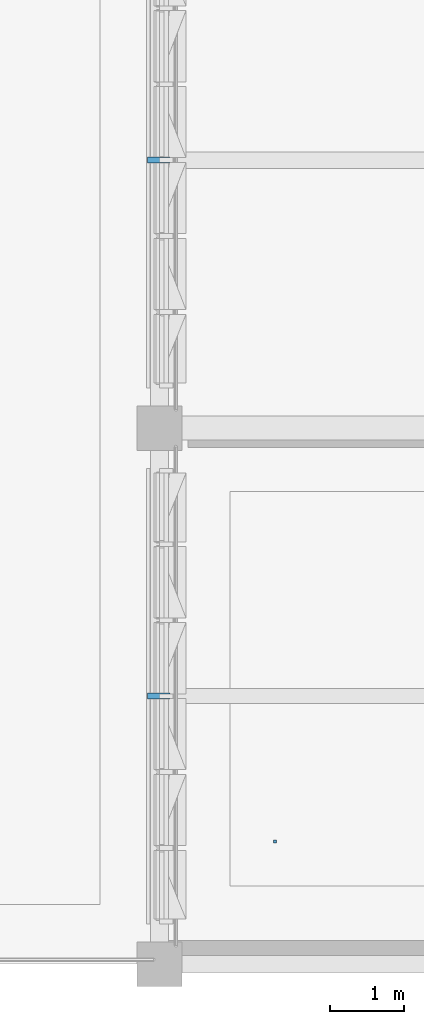
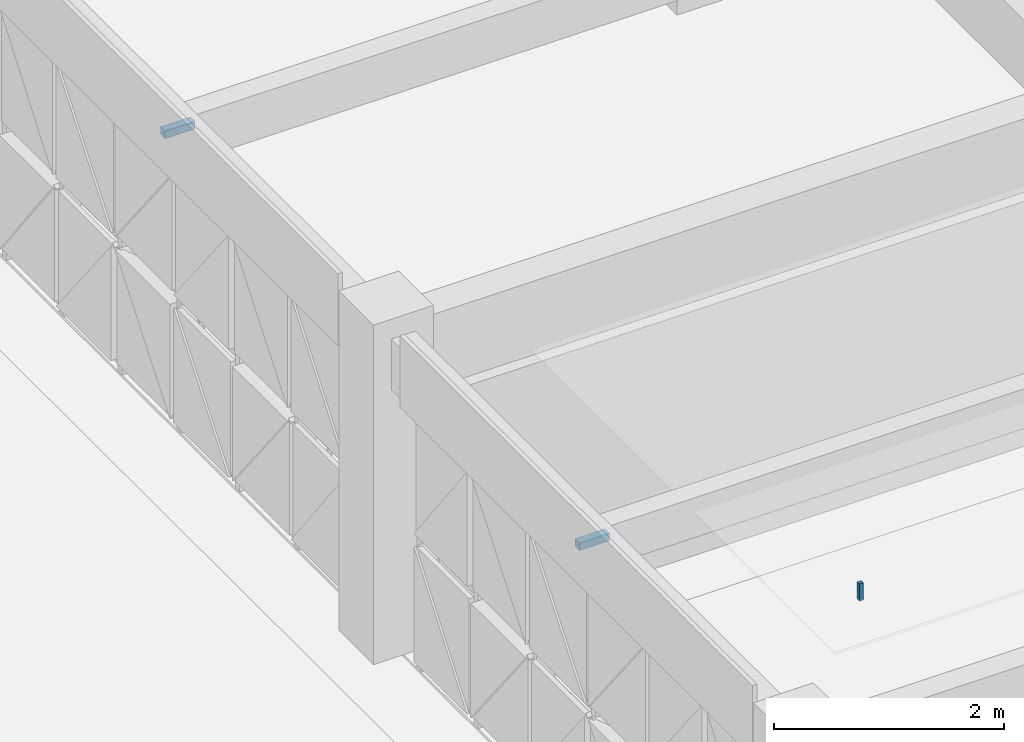
# One storey, part 62 of 85: 3 discrete accessories.
"""IFC4 building model written with IfcOpenShell, lengths in metres."""

from ifc_helpers import new_model, si_unit, direction, frame, origin, origin_2d, place, context, subcontext, project, spatial, rectangle, extrude, material, type_object, element, save


model = new_model("IFC4")

# Units and contexts
model_context = context("Model", 3, precision=1e-05, world=origin(), true_north=direction((0.0, 1.0)))
body_context = subcontext(model_context, "Body", "Model", "MODEL_VIEW")
ifc_project = project(units=[si_unit("LENGTHUNIT", "METRE"), si_unit("AREAUNIT", "SQUARE_METRE"), si_unit("VOLUMEUNIT", "CUBIC_METRE"), si_unit("PLANEANGLEUNIT", "RADIAN"), si_unit("MASSUNIT", "GRAM", prefix="KILO")], contexts=[model_context])

# Site, building, storey
site_placement = place(None, origin())
site = spatial("IfcSite", under=ifc_project, at=site_placement, CompositionType="ELEMENT")
building_placement = place(site_placement, origin())
building = spatial("IfcBuilding", under=site, at=building_placement, Name="Alvorim Cloister Faculty of Sciences", CompositionType="ELEMENT")
storey_placement = place(building_placement, frame((0.0, 0.0, 8.550048828125)))
storey = spatial("IfcBuildingStorey", under=building, at=storey_placement, Name="L02", CompositionType="ELEMENT", Elevation=8.550048828125)

# Discrete accessories
ifc_material_1 = material(Name="Galvanised Painted Steel", Category="steel")
discrete_accessory_type_1 = type_object("IfcDiscreteAccessoryType", Name="ACC-CEIL-ROD", PredefinedType="BRACKET", material=ifc_material_1)
discrete_accessory_placement = place(storey_placement, frame((66.35009765625, 1.64990234375, 3.22998046875), z_axis=(0.0, 0.0, 1.0), x_axis=(1.0, 0.0, 0.0)))
element("IfcDiscreteAccessory", 1, at=discrete_accessory_placement, inside=storey, type_object=discrete_accessory_type_1, Name="Ceiling Suspension Bracket ACC-ROD-019", PredefinedType="BRACKET", context=body_context, shape_type="SweptSolid", body=[
    extrude(rectangle(XDim=0.0400390625, YDim=0.0400390625, at=origin_2d()), origin(), (0.0, 0.0, 1.0), 0.179931640625),
])
ifc_material_2 = material(Name="Aluminium Alloy 6063-T6", Category="aluminium")
discrete_accessory_type_2 = type_object("IfcDiscreteAccessoryType", Name="ACC-DIAG-BAR", PredefinedType="BRACKET", material=ifc_material_2)
for number, where, z_axis, x_axis, name in (
    (2, (64.93994140625, 3.60009765625, 3.224853515625), (-1.0, 0.0, 0.0), (0.0, -1.0, 0.0), "Slab-Edge Fascia Tie Bracket ACC-00982"),
    (3, (64.93994140625, 10.800048828125, 3.224853515625), (-1.0, 0.0, 0.0), (0.0, -1.0, 0.0), "Slab-Edge Fascia Tie Bracket ACC-00995"),
):
    element("IfcDiscreteAccessory", number, at=place(storey_placement, frame(where, z_axis=z_axis, x_axis=x_axis)), inside=storey, type_object=discrete_accessory_type_2, Name=name, PredefinedType="BRACKET", context=body_context, shape_type="SweptSolid", body=[
        extrude(rectangle(XDim=0.080078125, YDim=0.080078125, at=origin_2d()), origin(), (0.0, 0.0, 1.0), 0.300048828125),
    ])

save(model, "model.ifc")
